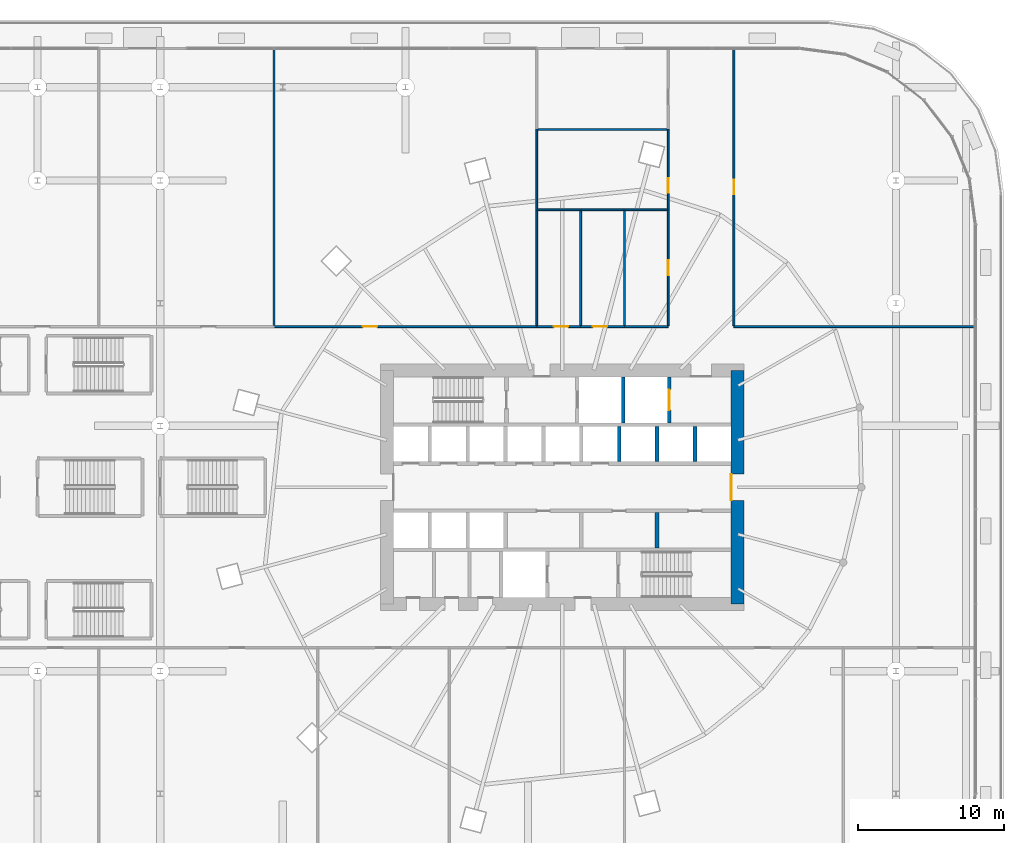
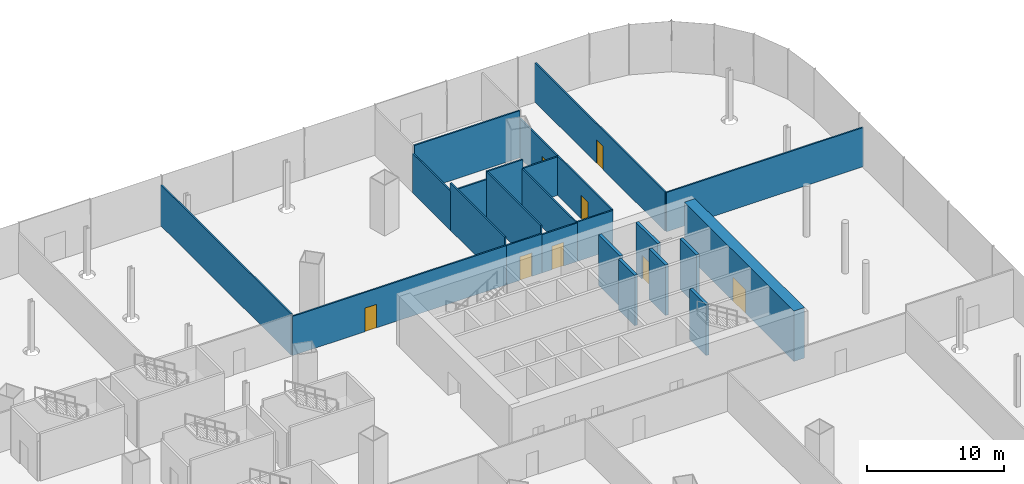
# One storey, part 43 of 56: 24 walls, 8 doors, 8 openings.
"""IFC4 building model written with IfcOpenShell, lengths in metres."""

from ifc_helpers import new_model, si_unit, direction, frame, frame_2d, origin, place, context, subcontext, project, spatial, rectangle, extrude, material, layer, layer_set, type_object, element, fill, save


model = new_model("IFC4")

# Units and contexts
model_context = context("Model", 3, precision=1e-05, world=origin(), true_north=direction((0.0, 1.0)))
body_context = subcontext(model_context, "Body", "Model", "MODEL_VIEW")
ifc_project = project(units=[si_unit("LENGTHUNIT", "METRE"), si_unit("AREAUNIT", "SQUARE_METRE"), si_unit("VOLUMEUNIT", "CUBIC_METRE"), si_unit("PLANEANGLEUNIT", "RADIAN"), si_unit("MASSUNIT", "GRAM", prefix="KILO")], contexts=[model_context])

# Site, building, storey
site_placement = place(None, origin())
site = spatial("IfcSite", under=ifc_project, at=site_placement, CompositionType="ELEMENT")
building_placement = place(site_placement, origin())
building = spatial("IfcBuilding", under=site, at=building_placement, Name="Rimbun Link Towers", CompositionType="ELEMENT")
storey_placement = place(building_placement, frame((0.0, 0.0, 16.5)))
storey = spatial("IfcBuildingStorey", under=building, at=storey_placement, Name="L03", CompositionType="ELEMENT", Elevation=16.5)

# Wall, opening, door
ifc_material_1 = material(Name="Concrete C60/75", Category="concrete")
ifc_layer_1 = layer(ifc_material_1, 0.89990234375)
ifc_layer_set_1 = layer_set([ifc_layer_1], Name="Core shear wall 900")
wall_type_1 = type_object("IfcWallType", Name="Core shear wall 900", PredefinedType="SHEAR", material=ifc_layer_set_1)
wall_1_placement = place(storey_placement, frame((43.75, -8.0, 0.0), z_axis=(0.0, 0.0, 1.0), x_axis=(0.0, 1.0, 0.0)))
wall_1 = element("IfcWall", 1, at=wall_1_placement, inside=storey, type_object=wall_type_1, Name="L03 T2 core wall E", PredefinedType="SHEAR", context=body_context, shape_type="SweptSolid", body=[
    extrude(rectangle(XDim=16.0, YDim=0.89990234375, at=frame_2d((8.0, 0.0))), origin(), (0.0, 0.0, 1.0), 4.5),
])
opening_1_placement = place(wall_1_placement, frame((7.10009765625, 0.0, 0.0)))
opening_1 = element("IfcOpeningElement", 2, at=opening_1_placement, cuts=wall_1, Name="Opening C2DCL01E", PredefinedType="OPENING", context=body_context, shape_type="SweptSolid", body=[
    extrude(rectangle(XDim=1.800048828125, YDim=2.10009765625, at=frame_2d((0.89990234375, 1.050048828125))), frame((0.0, 0.4599609375, 0.0), z_axis=(0.0, -1.0, 0.0), x_axis=(1.0, 0.0, 0.0)), (0.0, 0.0, 1.0), 0.919921875),
])
ifc_material_2 = material(Name="Steel fire door set", Category="steel")
door_type_1 = type_object("IfcDoorType", Name="Core lobby door double", OperationType="DOUBLE_DOOR_SINGLE_SWING", PredefinedType="DOOR", material=ifc_material_2)
door_1_placement = place(opening_1_placement, origin())
door_1 = element("IfcDoor", 3, at=door_1_placement, inside=storey, type_object=door_type_1, Name="L03 T2 lift lobby door", OperationType="DOUBLE_DOOR_SINGLE_SWING", OverallHeight=2.10009765625, OverallWidth=1.800048828125, PredefinedType="DOOR", context=body_context, shape_type="SweptSolid", body=[
    extrude(rectangle(XDim=1.800048828125, YDim=2.10009765625, at=frame_2d((0.89990234375, 1.050048828125))), frame((0.0, 0.4501953125, 0.0), z_axis=(0.0, -1.0, 0.0), x_axis=(1.0, 0.0, 0.0)), (0.0, 0.0, 1.0), 0.050048828125),
])
fill(opening_1, door_1)

ifc_material_3 = material(Name="Gypsum board on steel studs", Category="steel")
ifc_layer_2 = layer(ifc_material_3, 0.125)
ifc_layer_set_2 = layer_set([ifc_layer_2], Name="Partition 125 board on studs")
wall_type_2 = type_object("IfcWallType", Name="Partition 125 board on studs", PredefinedType="PARTITIONING", material=ifc_layer_set_2)
wall_2_placement = place(storey_placement, frame((33.0, 11.0, 0.0), z_axis=(0.0, 0.0, 1.0), x_axis=(-1.0, 0.0, 0.0)))
wall_2 = element("IfcWall", 4, at=wall_2_placement, inside=storey, type_object=wall_type_2, Name="PD/PW/L03/035", PredefinedType="PARTITIONING", context=body_context, shape_type="SweptSolid", body=[
    extrude(rectangle(XDim=3.0, YDim=0.125, at=frame_2d((1.5, 0.0))), origin(), (0.0, 0.0, 1.0), 3.49609375),
])
opening_2_placement = place(wall_2_placement, frame((0.8349609375, 0.0, 0.0)))
opening_2 = element("IfcOpeningElement", 5, at=opening_2_placement, cuts=wall_2, Name="Opening PD D03.11", PredefinedType="OPENING", context=body_context, shape_type="SweptSolid", body=[
    extrude(rectangle(XDim=1.0, YDim=2.10009765625, at=frame_2d((0.5, 1.050048828125))), frame((0.0, 0.072509765625, 0.0), z_axis=(0.0, -1.0, 0.0), x_axis=(1.0, 0.0, 0.0)), (0.0, 0.0, 1.0), 0.14501953125),
])
ifc_material_4 = material(Name="Timber door set", Category="wood")
door_type_2 = type_object("IfcDoorType", Name="Door single leaf 1000 x 2100", OperationType="NOTDEFINED", PredefinedType="DOOR", material=ifc_material_4)
door_2_placement = place(opening_2_placement, origin())
door_2 = element("IfcDoor", 6, at=door_2_placement, inside=storey, type_object=door_type_2, Name="PD/DR/L03/011", OperationType="SINGLE_SWING_RIGHT", OverallHeight=2.10009765625, OverallWidth=1.0, PredefinedType="DOOR", context=body_context, shape_type="SweptSolid", body=[
    extrude(rectangle(XDim=1.0, YDim=2.10009765625, at=frame_2d((0.5, 1.050048828125))), frame((0.0, 0.02490234375, 0.0), z_axis=(0.0, -1.0, 0.0), x_axis=(1.0, 0.0, 0.0)), (0.0, 0.0, 1.0), 0.050048828125),
])
fill(opening_2, door_2)

wall_3_placement = place(storey_placement, frame((36.0, 11.0, 0.0), z_axis=(0.0, 0.0, 1.0), x_axis=(-1.0, 0.0, 0.0)))
wall_3 = element("IfcWall", 7, at=wall_3_placement, inside=storey, type_object=wall_type_2, Name="PD/PW/L03/036", PredefinedType="PARTITIONING", context=body_context, shape_type="SweptSolid", body=[
    extrude(rectangle(XDim=3.0, YDim=0.125, at=frame_2d((1.5, 0.0))), origin(), (0.0, 0.0, 1.0), 3.41796875),
])
opening_3_placement = place(wall_3_placement, frame((1.1650390625, 0.0, 0.0)))
opening_3 = element("IfcOpeningElement", 8, at=opening_3_placement, cuts=wall_3, Name="Opening PD D03.12", PredefinedType="OPENING", context=body_context, shape_type="SweptSolid", body=[
    extrude(rectangle(XDim=1.0, YDim=2.10009765625, at=frame_2d((0.5, 1.050048828125))), frame((0.0, 0.072509765625, 0.0), z_axis=(0.0, -1.0, 0.0), x_axis=(1.0, 0.0, 0.0)), (0.0, 0.0, 1.0), 0.14501953125),
])
door_3_placement = place(opening_3_placement, origin())
door_3 = element("IfcDoor", 9, at=door_3_placement, inside=storey, type_object=door_type_2, Name="PD/DR/L03/012", OperationType="SINGLE_SWING_LEFT", OverallHeight=2.10009765625, OverallWidth=1.0, PredefinedType="DOOR", context=body_context, shape_type="SweptSolid", body=[
    extrude(rectangle(XDim=1.0, YDim=2.10009765625, at=frame_2d((0.5, 1.050048828125))), frame((0.0, 0.02490234375, 0.0), z_axis=(0.0, -1.0, 0.0), x_axis=(1.0, 0.0, 0.0)), (0.0, 0.0, 1.0), 0.050048828125),
])
fill(opening_3, door_3)

# Wall
wall_4_placement = place(storey_placement, frame((39.0, 11.0, 0.0), z_axis=(0.0, 0.0, 1.0), x_axis=(-1.0, 0.0, 0.0)))
element("IfcWall", 10, at=wall_4_placement, inside=storey, type_object=wall_type_2, Name="PD/PW/L03/037", PredefinedType="PARTITIONING", context=body_context, shape_type="SweptSolid", body=[
    extrude(rectangle(XDim=3.0, YDim=0.125, at=frame_2d((1.5, 0.0))), origin(), (0.0, 0.0, 1.0), 3.49609375),
])

# Wall, opening, door
wall_5_placement = place(storey_placement, frame((30.0, 11.0, 0.0), z_axis=(0.0, 0.0, 1.0), x_axis=(-1.0, 0.0, 0.0)))
wall_5 = element("IfcWall", 11, at=wall_5_placement, inside=storey, type_object=wall_type_2, Name="PD/PW/L03/043", PredefinedType="PARTITIONING", context=body_context, shape_type="SweptSolid", body=[
    extrude(rectangle(XDim=18.0, YDim=0.125, at=frame_2d((9.0, 0.0))), origin(), (0.0, 0.0, 1.0), 3.49609375),
])
opening_4_placement = place(wall_5_placement, frame((10.9150390625, 0.0, 0.0)))
opening_4 = element("IfcOpeningElement", 12, at=opening_4_placement, cuts=wall_5, Name="Opening PD D03.21", PredefinedType="OPENING", context=body_context, shape_type="SweptSolid", body=[
    extrude(rectangle(XDim=1.0, YDim=2.10009765625, at=frame_2d((0.5, 1.050048828125))), frame((0.0, 0.072509765625, 0.0), z_axis=(0.0, -1.0, 0.0), x_axis=(1.0, 0.0, 0.0)), (0.0, 0.0, 1.0), 0.14501953125),
])
door_4_placement = place(opening_4_placement, origin())
door_4 = element("IfcDoor", 13, at=door_4_placement, inside=storey, type_object=door_type_2, Name="PD/DR/L03/021", OperationType="SINGLE_SWING_RIGHT", OverallHeight=2.10009765625, OverallWidth=1.0, PredefinedType="DOOR", context=body_context, shape_type="SweptSolid", body=[
    extrude(rectangle(XDim=1.0, YDim=2.10009765625, at=frame_2d((0.5, 1.050048828125))), frame((0.0, 0.02490234375, 0.0), z_axis=(0.0, -1.0, 0.0), x_axis=(1.0, 0.0, 0.0)), (0.0, 0.0, 1.0), 0.050048828125),
])
fill(opening_4, door_4)

# Wall
wall_6_placement = place(storey_placement, frame((60.080078125, 11.0, 0.0), z_axis=(0.0, 0.0, 1.0), x_axis=(-1.0, 0.0, 0.0)))
element("IfcWall", 14, at=wall_6_placement, inside=storey, type_object=wall_type_2, Name="PD/PW/L03/044", PredefinedType="PARTITIONING", context=body_context, shape_type="SweptSolid", body=[
    extrude(rectangle(XDim=16.580078125, YDim=0.125, at=frame_2d((8.2900390625, 0.0))), origin(), (0.0, 0.0, 1.0), 3.49609375),
])

# Wall, opening, door
wall_7_placement = place(storey_placement, frame((39.0, 19.0, 0.0), z_axis=(0.0, 0.0, 1.0), x_axis=(0.0, -1.0, 0.0)))
wall_7 = element("IfcWall", 15, at=wall_7_placement, inside=storey, type_object=wall_type_2, Name="PD/PW/L03/054", PredefinedType="PARTITIONING", context=body_context, shape_type="SweptSolid", body=[
    extrude(rectangle(XDim=7.9375, YDim=0.125, at=frame_2d((3.96875, 0.0))), origin(), (0.0, 0.0, 1.0), 3.49609375),
])
opening_5_placement = place(wall_7_placement, frame((3.468994140625, 0.0, 0.0)))
opening_5 = element("IfcOpeningElement", 16, at=opening_5_placement, cuts=wall_7, Name="Opening PD D03.13", PredefinedType="OPENING", context=body_context, shape_type="SweptSolid", body=[
    extrude(rectangle(XDim=1.0, YDim=2.10009765625, at=frame_2d((0.5, 1.050048828125))), frame((0.0, 0.072509765625, 0.0), z_axis=(0.0, -1.0, 0.0), x_axis=(1.0, 0.0, 0.0)), (0.0, 0.0, 1.0), 0.14501953125),
])
door_5_placement = place(opening_5_placement, origin())
door_5 = element("IfcDoor", 17, at=door_5_placement, inside=storey, type_object=door_type_2, Name="PD/DR/L03/013", OperationType="SINGLE_SWING_RIGHT", OverallHeight=2.10009765625, OverallWidth=1.0, PredefinedType="DOOR", context=body_context, shape_type="SweptSolid", body=[
    extrude(rectangle(XDim=1.0, YDim=2.10009765625, at=frame_2d((0.5, 1.050048828125))), frame((0.0, 0.02490234375, 0.0), z_axis=(0.0, -1.0, 0.0), x_axis=(1.0, 0.0, 0.0)), (0.0, 0.0, 1.0), 0.050048828125),
])
fill(opening_5, door_5)

wall_8_placement = place(storey_placement, frame((39.0, 24.5, 0.0), z_axis=(0.0, 0.0, 1.0), x_axis=(0.0, -1.0, 0.0)))
wall_8 = element("IfcWall", 18, at=wall_8_placement, inside=storey, type_object=wall_type_2, Name="PD/PW/L03/055", PredefinedType="PARTITIONING", context=body_context, shape_type="SweptSolid", body=[
    extrude(rectangle(XDim=5.5, YDim=0.125, at=frame_2d((2.75, 0.0))), origin(), (0.0, 0.0, 1.0), 3.49609375),
])
opening_6_placement = place(wall_8_placement, frame((3.330078125, 0.0, 0.0)))
opening_6 = element("IfcOpeningElement", 19, at=opening_6_placement, cuts=wall_8, Name="Opening PD D03.14", PredefinedType="OPENING", context=body_context, shape_type="SweptSolid", body=[
    extrude(rectangle(XDim=1.0, YDim=2.10009765625, at=frame_2d((0.5, 1.050048828125))), frame((0.0, 0.072509765625, 0.0), z_axis=(0.0, -1.0, 0.0), x_axis=(1.0, 0.0, 0.0)), (0.0, 0.0, 1.0), 0.14501953125),
])
door_6_placement = place(opening_6_placement, origin())
door_6 = element("IfcDoor", 20, at=door_6_placement, inside=storey, type_object=door_type_2, Name="PD/DR/L03/014", OperationType="SINGLE_SWING_LEFT", OverallHeight=2.10009765625, OverallWidth=1.0, PredefinedType="DOOR", context=body_context, shape_type="SweptSolid", body=[
    extrude(rectangle(XDim=1.0, YDim=2.10009765625, at=frame_2d((0.5, 1.050048828125))), frame((0.0, 0.02490234375, 0.0), z_axis=(0.0, -1.0, 0.0), x_axis=(1.0, 0.0, 0.0)), (0.0, 0.0, 1.0), 0.050048828125),
])
fill(opening_6, door_6)

wall_9_placement = place(storey_placement, frame((43.5, 11.0625, 0.0), z_axis=(0.0, 0.0, 1.0), x_axis=(0.0, 1.0, 0.0)))
wall_9 = element("IfcWall", 21, at=wall_9_placement, inside=storey, type_object=wall_type_2, Name="PD/PW/L03/057", PredefinedType="PARTITIONING", context=body_context, shape_type="SweptSolid", body=[
    extrude(rectangle(XDim=19.017578125, YDim=0.125, at=frame_2d((9.5087890625, 0.0))), origin(), (0.0, 0.0, 1.0), 3.49609375),
])
opening_7_placement = place(wall_9_placement, frame((9.009033203125, 0.0, 0.0)))
opening_7 = element("IfcOpeningElement", 22, at=opening_7_placement, cuts=wall_9, Name="Opening PD D03.22", PredefinedType="OPENING", context=body_context, shape_type="SweptSolid", body=[
    extrude(rectangle(XDim=1.0, YDim=2.10009765625, at=frame_2d((0.5, 1.050048828125))), frame((0.0, 0.072509765625, 0.0), z_axis=(0.0, -1.0, 0.0), x_axis=(1.0, 0.0, 0.0)), (0.0, 0.0, 1.0), 0.14501953125),
])
door_7_placement = place(opening_7_placement, origin())
door_7 = element("IfcDoor", 23, at=door_7_placement, inside=storey, type_object=door_type_2, Name="PD/DR/L03/022", OperationType="SINGLE_SWING_LEFT", OverallHeight=2.10009765625, OverallWidth=1.0, PredefinedType="DOOR", context=body_context, shape_type="SweptSolid", body=[
    extrude(rectangle(XDim=1.0, YDim=2.10009765625, at=frame_2d((0.5, 1.050048828125))), frame((0.0, 0.02490234375, 0.0), z_axis=(0.0, -1.0, 0.0), x_axis=(1.0, 0.0, 0.0)), (0.0, 0.0, 1.0), 0.050048828125),
])
fill(opening_7, door_7)

# Walls
wall_10_placement = place(storey_placement, frame((33.0, 11.0625, 0.0), z_axis=(0.0, 0.0, 1.0), x_axis=(0.0, 1.0, 0.0)))
element("IfcWall", 24, at=wall_10_placement, inside=storey, type_object=wall_type_2, Name="PD/PW/L03/058", PredefinedType="PARTITIONING", context=body_context, shape_type="SweptSolid", body=[
    extrude(rectangle(XDim=7.875, YDim=0.125, at=frame_2d((3.9375, 0.0))), origin(), (0.0, 0.0, 1.0), 4.199951171875),
])
wall_11_placement = place(storey_placement, frame((33.02001953125, 19.0, 0.0), z_axis=(0.0, 0.0, 1.0), x_axis=(-1.0, 0.0, 0.0)))
element("IfcWall", 25, at=wall_11_placement, inside=storey, type_object=wall_type_2, Name="PD/PW/L03/059", PredefinedType="PARTITIONING", context=body_context, shape_type="SweptSolid", body=[
    extrude(rectangle(XDim=2.95751953125, YDim=0.125, at=frame_2d((1.478759765625, 0.0))), origin(), (0.0, 0.0, 1.0), 3.49609375),
])
wall_12_placement = place(storey_placement, frame((30.0, 19.02001953125, 0.0), z_axis=(0.0, 0.0, 1.0), x_axis=(0.0, -1.0, 0.0)))
element("IfcWall", 26, at=wall_12_placement, inside=storey, type_object=wall_type_2, Name="PD/PW/L03/060", PredefinedType="PARTITIONING", context=body_context, shape_type="SweptSolid", body=[
    extrude(rectangle(XDim=7.95751953125, YDim=0.125, at=frame_2d((3.978759765625, 0.0))), origin(), (0.0, 0.0, 1.0), 4.199951171875),
])
wall_13_placement = place(storey_placement, frame((36.0, 11.0625, 0.0), z_axis=(0.0, 0.0, 1.0), x_axis=(0.0, 1.0, 0.0)))
element("IfcWall", 27, at=wall_13_placement, inside=storey, type_object=wall_type_2, Name="PD/PW/L03/061", PredefinedType="PARTITIONING", context=body_context, shape_type="SweptSolid", body=[
    extrude(rectangle(XDim=7.875, YDim=0.125, at=frame_2d((3.9375, 0.0))), origin(), (0.0, 0.0, 1.0), 3.41796875),
])
wall_14_placement = place(storey_placement, frame((36.02001953125, 19.0, 0.0), z_axis=(0.0, 0.0, 1.0), x_axis=(-1.0, 0.0, 0.0)))
element("IfcWall", 28, at=wall_14_placement, inside=storey, type_object=wall_type_2, Name="PD/PW/L03/062", PredefinedType="PARTITIONING", context=body_context, shape_type="SweptSolid", body=[
    extrude(rectangle(XDim=3.0400390625, YDim=0.125, at=frame_2d((1.52001953125, 0.0))), origin(), (0.0, 0.0, 1.0), 4.199951171875),
])
wall_15_placement = place(storey_placement, frame((38.9375, 19.0, 0.0), z_axis=(0.0, 0.0, 1.0), x_axis=(-1.0, 0.0, 0.0)))
element("IfcWall", 29, at=wall_15_placement, inside=storey, type_object=wall_type_2, Name="PD/PW/L03/063", PredefinedType="PARTITIONING", context=body_context, shape_type="SweptSolid", body=[
    extrude(rectangle(XDim=2.95751953125, YDim=0.125, at=frame_2d((1.478759765625, 0.0))), origin(), (0.0, 0.0, 1.0), 3.41796875),
])
wall_16_placement = place(storey_placement, frame((38.9375, 24.5, 0.0), z_axis=(0.0, 0.0, 1.0), x_axis=(-1.0, 0.0, 0.0)))
element("IfcWall", 30, at=wall_16_placement, inside=storey, type_object=wall_type_2, Name="PD/PW/L03/064", PredefinedType="PARTITIONING", context=body_context, shape_type="SweptSolid", body=[
    extrude(rectangle(XDim=8.875, YDim=0.125, at=frame_2d((4.4375, 0.0))), origin(), (0.0, 0.0, 1.0), 4.199951171875),
])
wall_17_placement = place(storey_placement, frame((30.0, 24.52001953125, 0.0), z_axis=(0.0, 0.0, 1.0), x_axis=(0.0, -1.0, 0.0)))
element("IfcWall", 31, at=wall_17_placement, inside=storey, type_object=wall_type_2, Name="PD/PW/L03/065", PredefinedType="PARTITIONING", context=body_context, shape_type="SweptSolid", body=[
    extrude(rectangle(XDim=5.5400390625, YDim=0.125, at=frame_2d((2.77001953125, 0.0))), origin(), (0.0, 0.0, 1.0), 3.49609375),
])
wall_18_placement = place(storey_placement, frame((12.0, 11.0625, 0.0), z_axis=(0.0, 0.0, 1.0), x_axis=(0.0, 1.0, 0.0)))
element("IfcWall", 32, at=wall_18_placement, inside=storey, type_object=wall_type_2, Name="PD/PW/L03/071", PredefinedType="PARTITIONING", context=body_context, shape_type="SweptSolid", body=[
    extrude(rectangle(XDim=19.017578125, YDim=0.125, at=frame_2d((9.5087890625, 0.0))), origin(), (0.0, 0.0, 1.0), 3.64697265625),
])
ifc_material_5 = material(Name="Concrete C60/75", Category="concrete")
ifc_layer_3 = layer(ifc_material_5, 0.25)
ifc_layer_set_3 = layer_set([ifc_layer_3], Name="Shaft wall 250")
wall_type_3 = type_object("IfcWallType", Name="Shaft wall 250", PredefinedType="SHEAR", material=ifc_layer_set_3)
for number, where, z_axis, x_axis, name in (
    (33, (35.6416015625, 1.75, 0.0), (0.0, 0.0, 1.0), (0.0, 1.0, 0.0), "L03 T2 core wall DN5"),
    (34, (38.236083984375, 1.75, 0.0), (0.0, 0.0, 1.0), (0.0, 1.0, 0.0), "L03 T2 core wall DN6"),
    (35, (40.83056640625, 1.75, 0.0), (0.0, 0.0, 1.0), (0.0, 1.0, 0.0), "L03 T2 core wall DN7"),
    (36, (38.236083984375, -4.14990234375, 0.0), (0.0, 0.0, 1.0), (0.0, 1.0, 0.0), "L03 T2 core wall DS6"),
):
    element("IfcWall", number, at=place(storey_placement, frame(where, z_axis=z_axis, x_axis=x_axis)), inside=storey, type_object=wall_type_3, Name=name, PredefinedType="SHEAR", context=body_context, shape_type="SweptSolid", body=[
        extrude(rectangle(XDim=2.39990234375, YDim=0.25, at=frame_2d((1.199951171875, 0.0))), origin(), (0.0, 0.0, 1.0), 4.5),
    ])
wall_19_placement = place(storey_placement, frame((35.925048828125, 4.39990234375, 0.0), z_axis=(0.0, 0.0, 1.0), x_axis=(0.0, 1.0, 0.0)))
element("IfcWall", 37, at=wall_19_placement, inside=storey, type_object=wall_type_3, Name="L03 T2 core wall A3", PredefinedType="SHEAR", context=body_context, shape_type="SweptSolid", body=[
    extrude(rectangle(XDim=3.150146484375, YDim=0.25, at=frame_2d((1.5751953125, 0.0))), origin(), (0.0, 0.0, 1.0), 4.5),
])

# Wall, opening, door
wall_20_placement = place(storey_placement, frame((39.074951171875, 4.39990234375, 0.0), z_axis=(0.0, 0.0, 1.0), x_axis=(0.0, 1.0, 0.0)))
wall_20 = element("IfcWall", 38, at=wall_20_placement, inside=storey, type_object=wall_type_3, Name="L03 T2 core wall A4", PredefinedType="SHEAR", context=body_context, shape_type="SweptSolid", body=[
    extrude(rectangle(XDim=3.150146484375, YDim=0.25, at=frame_2d((1.5751953125, 0.0))), origin(), (0.0, 0.0, 1.0), 4.5),
])
opening_8_placement = place(wall_20_placement, frame((0.875, 0.0, 0.0)))
opening_8 = element("IfcOpeningElement", 39, at=opening_8_placement, cuts=wall_20, Name="Opening LD-T2-GL1", PredefinedType="OPENING", context=body_context, shape_type="SweptSolid", body=[
    extrude(rectangle(XDim=1.39990234375, YDim=2.10009765625, at=frame_2d((0.699951171875, 1.050048828125))), frame((0.0, 0.135009765625, 0.0), z_axis=(0.0, -1.0, 0.0), x_axis=(1.0, 0.0, 0.0)), (0.0, 0.0, 1.0), 0.27001953125),
])
ifc_material_6 = material(Name="Stainless steel grade 316", Category="steel")
door_type_3 = type_object("IfcDoorType", Name="Goods lift landing door", OperationType="DOUBLE_DOOR_SLIDING", PredefinedType="DOOR", material=ifc_material_6)
door_8_placement = place(opening_8_placement, origin())
door_8 = element("IfcDoor", 40, at=door_8_placement, inside=storey, type_object=door_type_3, Name="L03 T2 lift GL1 landing door", OperationType="DOUBLE_DOOR_SLIDING", OverallHeight=2.10009765625, OverallWidth=1.39990234375, PredefinedType="DOOR", context=body_context, shape_type="SweptSolid", body=[
    extrude(rectangle(XDim=1.39990234375, YDim=2.10009765625, at=frame_2d((0.699951171875, 1.050048828125))), frame((0.0, 0.02490234375, 0.0), z_axis=(0.0, -1.0, 0.0), x_axis=(1.0, 0.0, 0.0)), (0.0, 0.0, 1.0), 0.050048828125),
])
fill(opening_8, door_8)

save(model, "model.ifc")
